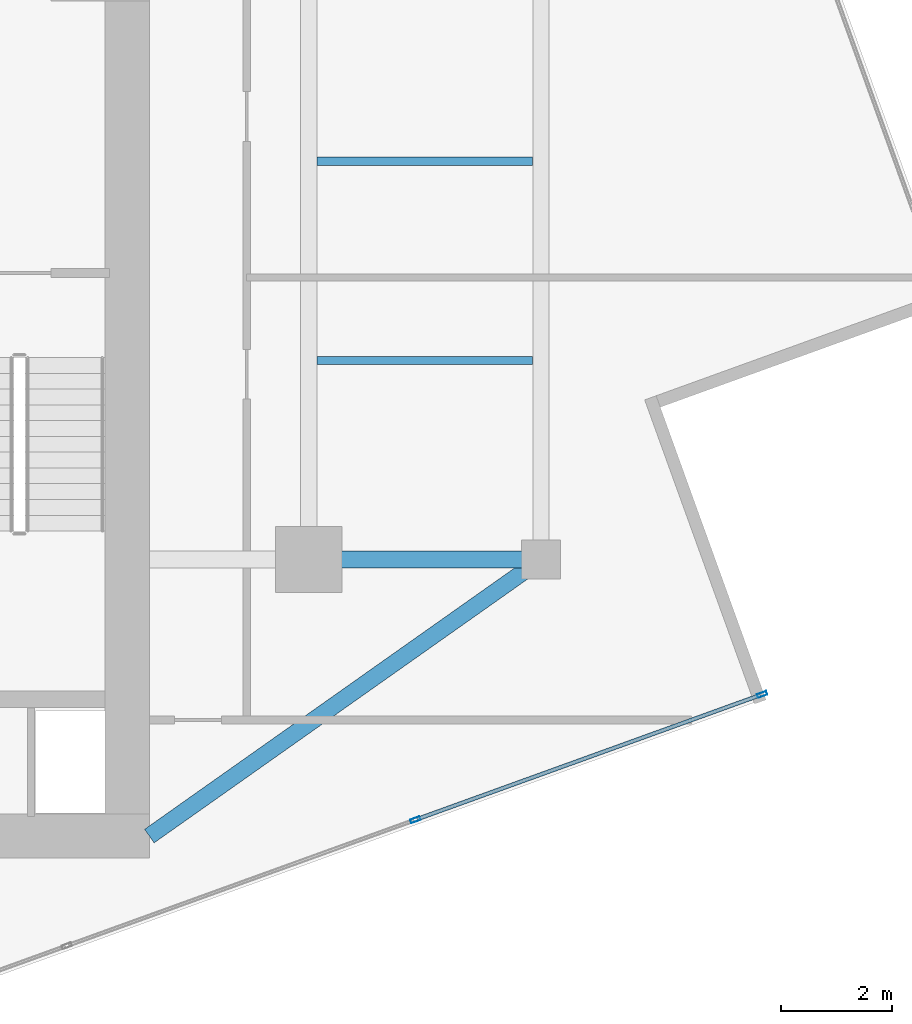
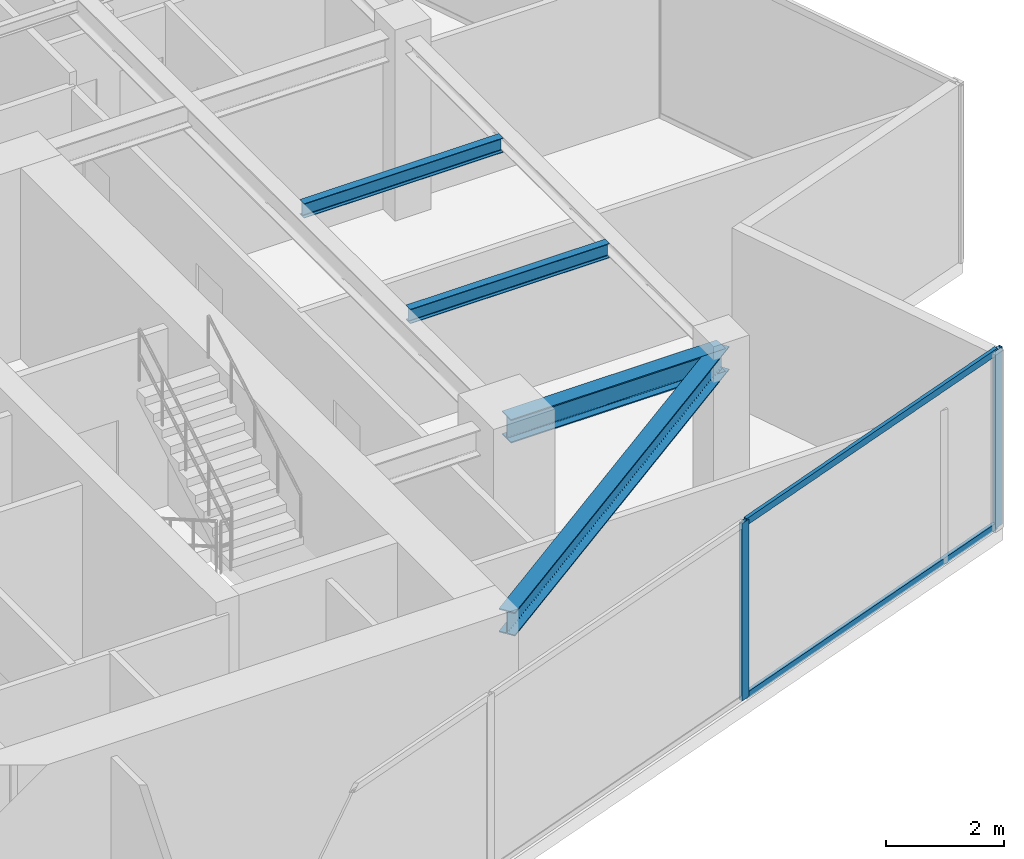
# One storey, part 9 of 21: 4 beams, 4 members, 1 element without a shape of its own.
"""IFC4 building model written with IfcOpenShell, lengths in metres."""

from ifc_helpers import new_model, si_unit, direction, frame, origin, origin_2d, place, context, subcontext, project, spatial, hollow_rectangle, i_section, extrude, source, transform, mapped, material, material_profile, profile_set, type_object, type_shapes, element, aggregate, save


model = new_model("IFC4")

# Units and contexts
model_context = context("Model", 3, precision=1e-05, world=origin(), true_north=direction((0.0, 1.0)))
body_context = subcontext(model_context, "Body", "Model", "MODEL_VIEW")
ifc_project = project(units=[si_unit("LENGTHUNIT", "METRE"), si_unit("AREAUNIT", "SQUARE_METRE"), si_unit("VOLUMEUNIT", "CUBIC_METRE"), si_unit("PLANEANGLEUNIT", "RADIAN"), si_unit("MASSUNIT", "GRAM", prefix="KILO")], contexts=[model_context])

# Site, building, storey
site_placement = place(None, origin())
site = spatial("IfcSite", under=ifc_project, at=site_placement, CompositionType="ELEMENT")
building_placement = place(site_placement, origin())
building = spatial("IfcBuilding", under=site, at=building_placement, Name="Krantzveldt Concourse Tower", CompositionType="ELEMENT")
storey_placement = place(building_placement, frame((0.0, 0.0, 331.64990234375)))
storey = spatial("IfcBuildingStorey", under=building, at=storey_placement, Name="L81", CompositionType="ELEMENT", Elevation=331.64990234375)

# Beams
ifc_material_1 = material(Name="Steel S355JR", Category="steel")
ifc_material_profile_1 = material_profile(ifc_material_1, i_section(OverallWidth=0.300048828125, OverallDepth=0.489990234375, WebThickness=0.011962890625, FlangeThickness=0.02294921875, FilletRadius=0.027099609375, at=origin_2d()), Name="Steel S355JR", Category="steel")
ifc_profile_set_1 = profile_set([ifc_material_profile_1], Name="Steel S355JR - HEA 500")
beam_type_1 = type_object("IfcBeamType", Name="BM-B-HEA500", PredefinedType="BEAM", material=ifc_profile_set_1)
shared_shape_1 = source(origin(), body_context, "Body", "SweptSolid", [
    extrude(i_section(OverallWidth=0.300048828125, OverallDepth=0.489990234375, WebThickness=0.011962890625, FlangeThickness=0.02294921875, FilletRadius=0.027099609375, at=origin_2d()), origin(), (0.0, 0.0, 1.0), 4.199951171875),
])
beam_1_placement = place(storey_placement, frame((46.800048828125, 15.89990234375, 3.425048828125), z_axis=(1.0, 0.0, 0.0), x_axis=(0.0, 1.0, 0.0)))
element("IfcBeam", 1, at=beam_1_placement, inside=storey, type_object=beam_type_1, Name="L81 Tower Girder BR-RR1", PredefinedType="BEAM", context=body_context, shape_type="MappedRepresentation", body=[
    mapped(shared_shape_1, transform((0.0, 0.0, 0.0), x_axis=(1.0, 0.0, 0.0), y_axis=(0.0, 1.0, 0.0), z_axis=(0.0, 0.0, 1.0), scale=1.0)),
])
shared_shape_2 = source(origin(), body_context, "Body", "SweptSolid", [
    extrude(i_section(OverallWidth=0.300048828125, OverallDepth=0.489990234375, WebThickness=0.011962890625, FlangeThickness=0.02294921875, FilletRadius=0.027099609375, at=origin_2d()), origin(), (0.0, 0.0, 1.0), 8.667724609375),
])
type_shapes(beam_type_1, [shared_shape_1, shared_shape_2])
beam_2_placement = place(storey_placement, frame((51.0, 15.89990234375, 3.425048828125), z_axis=(-0.81684294656, -0.576860122261, 0.0), x_axis=(0.576860122261, -0.81684294656, 0.0)))
element("IfcBeam", 2, at=beam_2_placement, inside=storey, type_object=beam_type_1, Name="L81 Tower Girder BR-CSE", PredefinedType="BEAM", context=body_context, shape_type="MappedRepresentation", body=[
    mapped(shared_shape_2, transform((0.0, 0.0, 0.0), x_axis=(1.0, 0.0, 0.0), y_axis=(0.0, 1.0, 0.0), z_axis=(0.0, 0.0, 1.0), scale=1.0)),
])
ifc_material_profile_2 = material_profile(ifc_material_1, i_section(OverallWidth=0.14990234375, OverallDepth=0.300048828125, WebThickness=0.007080078125, FlangeThickness=0.0107421875, FilletRadius=0.014892578125, at=origin_2d()), Name="Steel S355JR", Category="steel")
ifc_profile_set_2 = profile_set([ifc_material_profile_2], Name="Steel S355JR - IPE 300")
beam_type_2 = type_object("IfcBeamType", Name="BM-J-IPE300", PredefinedType="JOIST", material=ifc_profile_set_2)
shared_shape_3 = source(origin(), body_context, "Body", "SweptSolid", [
    extrude(i_section(OverallWidth=0.14990234375, OverallDepth=0.300048828125, WebThickness=0.007080078125, FlangeThickness=0.0107421875, FilletRadius=0.014892578125, at=origin_2d()), origin(), (0.0, 0.0, 1.0), 3.900146484375),
])
type_shapes(beam_type_2, [shared_shape_3])
for number, where, z_axis, x_axis, name in (
    (3, (46.949951171875, 19.5, 3.52001953125), (1.0, 0.0, 0.0), (0.0, 1.0, 0.0), "L81 Secondary Floor Joist JE-1"),
    (4, (46.949951171875, 23.10009765625, 3.52001953125), (1.0, 0.0, 0.0), (0.0, 1.0, 0.0), "L81 Secondary Floor Joist JE-2"),
):
    element("IfcBeam", number, at=place(storey_placement, frame(where, z_axis=z_axis, x_axis=x_axis)), inside=storey, type_object=beam_type_2, Name=name, PredefinedType="JOIST", context=body_context, shape_type="MappedRepresentation", body=[
        mapped(shared_shape_3, transform((0.0, 0.0, 0.0), x_axis=(1.0, 0.0, 0.0), y_axis=(0.0, 1.0, 0.0), z_axis=(0.0, 0.0, 1.0), scale=1.0)),
    ])

# Curtain wall, members
ifc_material_2 = material(Name="Anodised aluminium 6063-T6", Category="aluminium")
curtain_wall_type = type_object("IfcCurtainWallType", Name="CW4", PredefinedType="USERDEFINED", material=ifc_material_2)
curtain_wall_placement = place(storey_placement, origin())
curtain_wall = element("IfcCurtainWall", 5, at=curtain_wall_placement, inside=storey, type_object=curtain_wall_type, Name="CW-L81-F07", ObjectType="UNITISED CURTAIN WALL", PredefinedType="USERDEFINED")
ifc_material_profile_3 = material_profile(ifc_material_2, hollow_rectangle(XDim=0.070068359375, YDim=0.179931640625, WallThickness=0.0048828125, at=origin_2d()), Name="Anodised aluminium 6063-T6", Category="aluminium")
ifc_profile_set_3 = profile_set([ifc_material_profile_3], Name="Anodised aluminium 6063-T6 - ALU-MULL 180x70x5")
member_type_1 = type_object("IfcMemberType", Name="CW-MUL-180", PredefinedType="MULLION", material=ifc_profile_set_3)
shared_shape_4 = source(origin(), body_context, "Body", "SweptSolid", [
    extrude(hollow_rectangle(XDim=0.070068359375, YDim=0.179931640625, WallThickness=0.0048828125, at=origin_2d()), origin(), (0.0, 0.0, 1.0), 3.670166015625),
])
type_shapes(member_type_1, [shared_shape_4])
member_1_placement = place(storey_placement, frame((48.729736328125, 11.194091796875, 0.0), z_axis=(0.0, 0.0, 1.0), x_axis=(-0.339969050563, 0.940436624478, 0.0)))
member_1 = element("IfcMember", 6, at=member_1_placement, type_object=member_type_1, Name="CW-Z56 mullion 4", PredefinedType="MULLION", context=body_context, shape_type="MappedRepresentation", body=[
    mapped(shared_shape_4, transform((0.0, 0.0, 0.0), x_axis=(1.0, 0.0, 0.0), y_axis=(0.0, 1.0, 0.0), z_axis=(0.0, 0.0, 1.0), scale=1.0)),
])
member_2_placement = place(storey_placement, frame((54.997802734375, 13.4599609375, 0.0), z_axis=(0.0, 0.0, 1.0), x_axis=(-0.339969050563, 0.940436624478, 0.0)))
member_2 = element("IfcMember", 7, at=member_2_placement, type_object=member_type_1, Name="CW-Z56 mullion 5", PredefinedType="MULLION", context=body_context, shape_type="MappedRepresentation", body=[
    mapped(shared_shape_4, transform((0.0, 0.0, 0.0), x_axis=(1.0, 0.0, 0.0), y_axis=(0.0, 1.0, 0.0), z_axis=(0.0, 0.0, 1.0), scale=1.0)),
])
ifc_material_profile_4 = material_profile(ifc_material_2, hollow_rectangle(XDim=0.070068359375, YDim=0.139892578125, WallThickness=0.0048828125, at=origin_2d()), Name="Anodised aluminium 6063-T6", Category="aluminium")
ifc_profile_set_4 = profile_set([ifc_material_profile_4], Name="Anodised aluminium 6063-T6 - ALU-TRAN 140x70x5")
member_type_2 = type_object("IfcMemberType", Name="CW-TRN-150", PredefinedType="USERDEFINED", material=ifc_profile_set_4)
shared_shape_5 = source(origin(), body_context, "Body", "SweptSolid", [
    extrude(hollow_rectangle(XDim=0.070068359375, YDim=0.139892578125, WallThickness=0.0048828125, at=origin_2d()), origin(), (0.0, 0.0, 1.0), 6.594970703125),
])
type_shapes(member_type_2, [shared_shape_5])
member_3_placement = place(storey_placement, frame((48.7626953125, 11.2060546875, 0.03515625), z_axis=(0.940431638086, 0.339982843811, 0.0), x_axis=(-0.339982843811, 0.940431638086, 0.0)))
member_3 = element("IfcMember", 8, at=member_3_placement, type_object=member_type_2, Name="CW-Z56 transom 4.1", ObjectType="TRANSOM", PredefinedType="USERDEFINED", context=body_context, shape_type="MappedRepresentation", body=[
    mapped(shared_shape_5, transform((0.0, 0.0, 0.0), x_axis=(1.0, 0.0, 0.0), y_axis=(0.0, 1.0, 0.0), z_axis=(0.0, 0.0, 1.0), scale=1.0)),
])
member_4_placement = place(storey_placement, frame((48.7626953125, 11.2060546875, 3.635009765625), z_axis=(0.940431638086, 0.339982843811, 0.0), x_axis=(-0.339982843811, 0.940431638086, 0.0)))
member_4 = element("IfcMember", 9, at=member_4_placement, type_object=member_type_2, Name="CW-Z56 transom 4.2", ObjectType="TRANSOM", PredefinedType="USERDEFINED", context=body_context, shape_type="MappedRepresentation", body=[
    mapped(shared_shape_5, transform((0.0, 0.0, 0.0), x_axis=(1.0, 0.0, 0.0), y_axis=(0.0, 1.0, 0.0), z_axis=(0.0, 0.0, 1.0), scale=1.0)),
])
aggregate(curtain_wall, [member_1, member_2, member_3, member_4])

save(model, "model.ifc")
